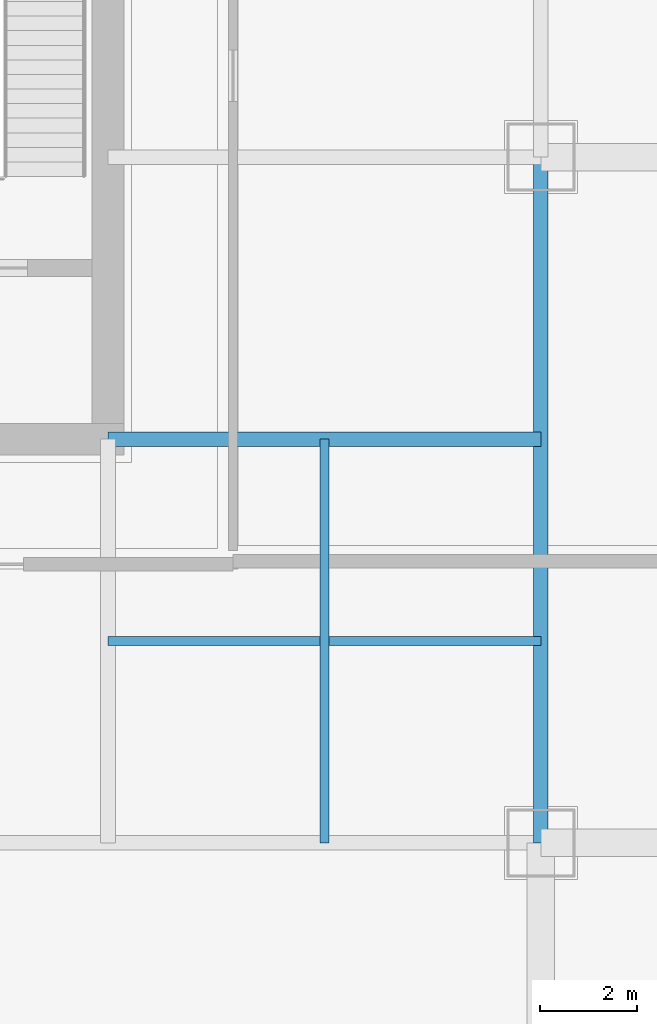
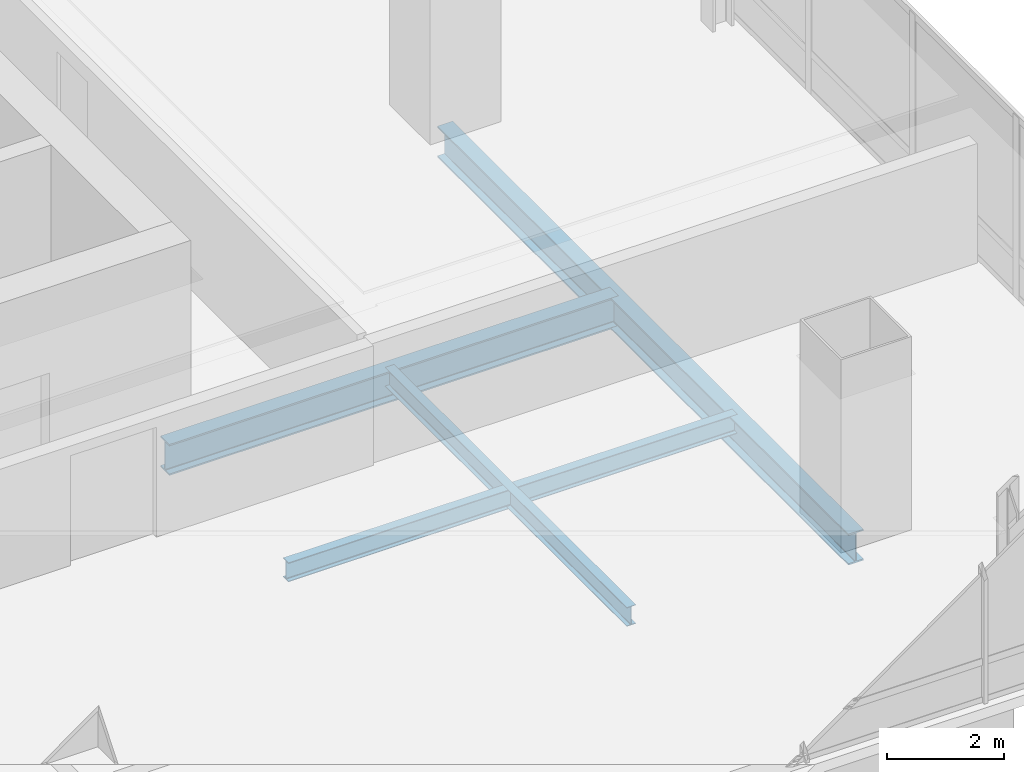
# One storey, part 14 of 35: 4 beams.
"""IFC4 building model written with IfcOpenShell, lengths in metres."""

from ifc_helpers import new_model, si_unit, direction, frame, origin, origin_2d, place, context, subcontext, project, spatial, i_section, extrude, material, material_profile, profile_set, type_object, element, save


model = new_model("IFC4")

# Units and contexts
model_context = context("Model", 3, precision=1e-05, world=origin(), true_north=direction((0.0, 1.0)))
body_context = subcontext(model_context, "Body", "Model", "MODEL_VIEW")
ifc_project = project(units=[si_unit("LENGTHUNIT", "METRE"), si_unit("AREAUNIT", "SQUARE_METRE"), si_unit("VOLUMEUNIT", "CUBIC_METRE"), si_unit("PLANEANGLEUNIT", "RADIAN"), si_unit("MASSUNIT", "GRAM", prefix="KILO")], contexts=[model_context])

# Site, building, storey
site_placement = place(None, origin())
site = spatial("IfcSite", under=ifc_project, at=site_placement, CompositionType="ELEMENT")
building_placement = place(site_placement, origin())
building = spatial("IfcBuilding", under=site, at=building_placement, Name="Punatoya Terracotta Tower", CompositionType="ELEMENT")
storey_placement = place(building_placement, frame((0.0, 0.0, 216.75)))
storey = spatial("IfcBuildingStorey", under=building, at=storey_placement, Name="L51", CompositionType="ELEMENT", Elevation=216.75)

# Beams
ifc_material = material(Name="Steel S355", Category="steel")
ifc_material_profile_1 = material_profile(ifc_material, i_section(OverallWidth=0.300048828125, OverallDepth=0.64990234375, WebThickness=0.01611328125, FlangeThickness=0.031005859375, FilletRadius=0.01806640625, at=origin_2d()))
ifc_profile_set_1 = profile_set([ifc_material_profile_1], Name="Steel S355")
beam_type_1 = type_object("IfcBeamType", Name="BM-PRI-650", PredefinedType="BEAM", material=ifc_profile_set_1)
beam_1_placement = place(storey_placement, frame((19.10009765625, -17.5, -0.544921875), z_axis=(0.0, 1.0, 0.0), x_axis=(-1.0, 0.0, 0.0)))
element("IfcBeam", 1, at=beam_1_placement, inside=storey, type_object=beam_type_1, Name="BM-L51-RG-E1", PredefinedType="BEAM", context=body_context, shape_type="SweptSolid", body=[
    extrude(i_section(OverallWidth=0.300048828125, OverallDepth=0.64990234375, WebThickness=0.01611328125, FlangeThickness=0.031005859375, FilletRadius=0.01806640625, at=origin_2d()), origin(), (0.0, 0.0, 1.0), 14.10009765625),
])
beam_2_placement = place(storey_placement, frame((10.199951171875, -9.199951171875, -0.544921875), z_axis=(1.0, 0.0, 0.0), x_axis=(0.0, 1.0, 0.0)))
element("IfcBeam", 2, at=beam_2_placement, inside=storey, type_object=beam_type_1, Name="BM-L51-PR-ES", PredefinedType="BEAM", context=body_context, shape_type="SweptSolid", body=[
    extrude(i_section(OverallWidth=0.300048828125, OverallDepth=0.64990234375, WebThickness=0.01611328125, FlangeThickness=0.031005859375, FilletRadius=0.01806640625, at=origin_2d()), origin(), (0.0, 0.0, 1.0), 8.900146484375),
])
ifc_material_profile_2 = material_profile(ifc_material, i_section(OverallWidth=0.179931640625, OverallDepth=0.39990234375, WebThickness=0.008544921875, FlangeThickness=0.013427734375, FilletRadius=0.01806640625, at=origin_2d()))
ifc_profile_set_2 = profile_set([ifc_material_profile_2], Name="Steel S355")
beam_type_2 = type_object("IfcBeamType", Name="BM-SEC-400", PredefinedType="JOIST", material=ifc_profile_set_2)
beam_3_placement = place(storey_placement, frame((10.199951171875, -13.35009765625, -0.419921875), z_axis=(1.0, 0.0, 0.0), x_axis=(0.0, 1.0, 0.0)))
element("IfcBeam", 3, at=beam_3_placement, inside=storey, type_object=beam_type_2, Name="BM-L51-SJS-2", PredefinedType="JOIST", context=body_context, shape_type="SweptSolid", body=[
    extrude(i_section(OverallWidth=0.179931640625, OverallDepth=0.39990234375, WebThickness=0.008544921875, FlangeThickness=0.013427734375, FilletRadius=0.01806640625, at=origin_2d()), origin(), (0.0, 0.0, 1.0), 8.900146484375),
])
beam_4_placement = place(storey_placement, frame((14.64990234375, -17.5, -0.419921875), z_axis=(0.0, 1.0, 0.0), x_axis=(-1.0, 0.0, 0.0)))
element("IfcBeam", 4, at=beam_4_placement, inside=storey, type_object=beam_type_2, Name="BM-L51-SJE-1", PredefinedType="JOIST", context=body_context, shape_type="SweptSolid", body=[
    extrude(i_section(OverallWidth=0.179931640625, OverallDepth=0.39990234375, WebThickness=0.008544921875, FlangeThickness=0.013427734375, FilletRadius=0.01806640625, at=origin_2d()), origin(), (0.0, 0.0, 1.0), 8.300048828125),
])

save(model, "model.ifc")
